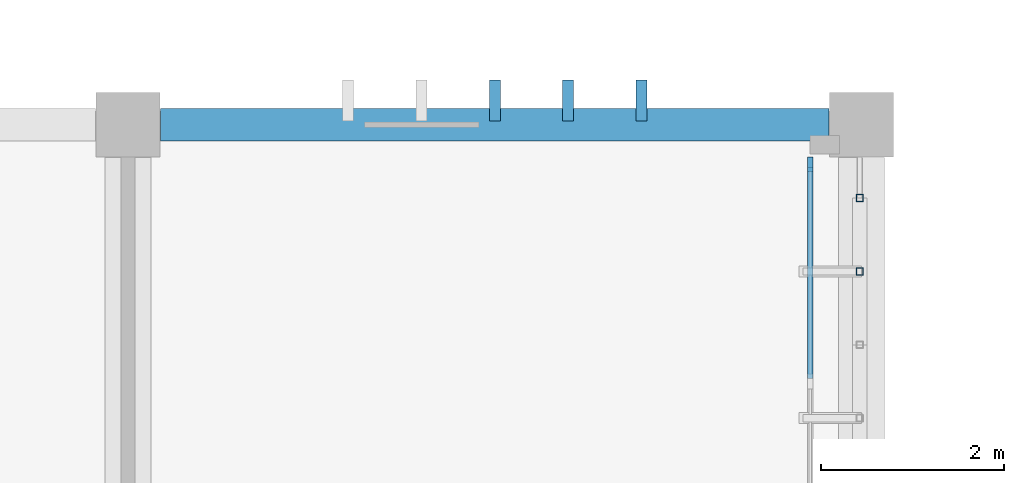
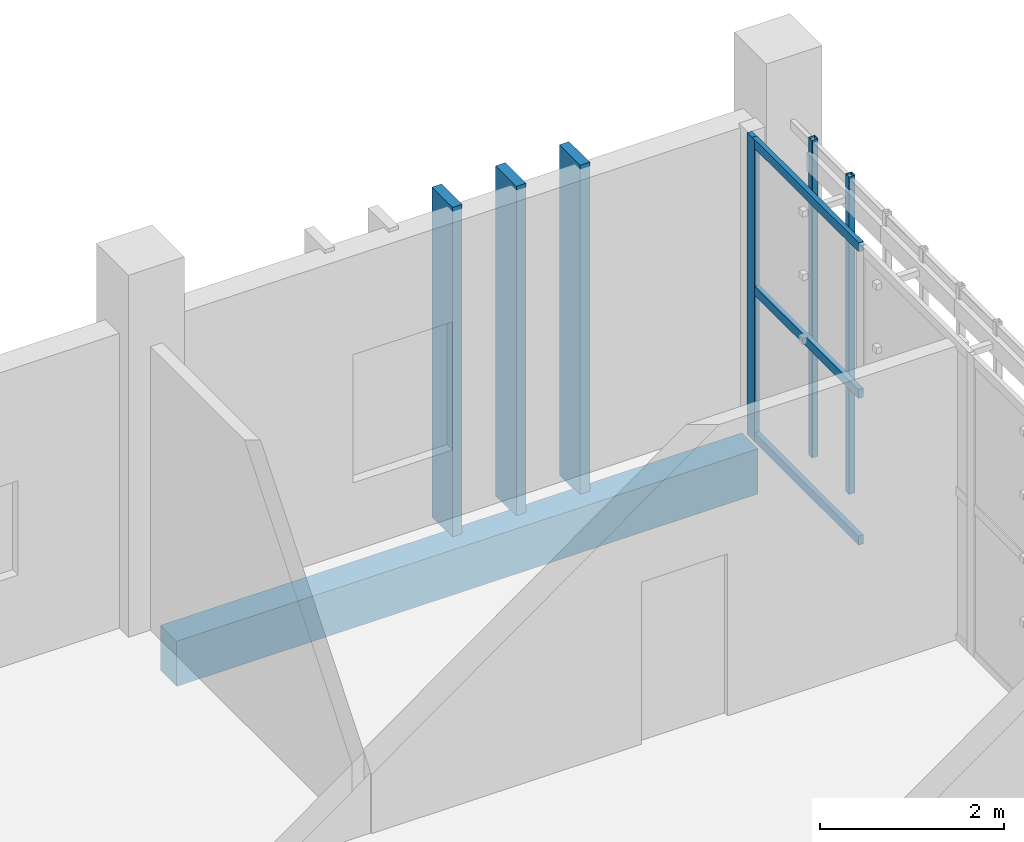
# One storey, part 70 of 117: 9 members, 1 beam, 1 element without a shape of its own.
"""IFC4 building model written with IfcOpenShell, lengths in metres."""

import ifcopenshell
import ifcopenshell.guid

model = None  # the IFC model being written
_history = None  # IfcOwnerHistory: only IFC2X3 demands one
_inside = {}  # id of a spatial element -> (the spatial element, [elements in it])
_under = {}  # id of a project, library or spatial element -> (it, [spatial elements below it])
_declared = {}  # id of a project -> (the project, [libraries it declares])
_typed = {}  # id of a type object -> (the type object, [elements of that type])
_made_of = {}  # id of a material, layer set ... -> (it, [elements and type objects made of it])


def new_model(schema):
    """Start an empty IFC model of exactly this schema.

    Asked for "IFC4X3", IfcOpenShell would pick the latest addendum, in which some entities
    have other attributes; the version numbers below select the first issue.
    IFC2X3 requires an IfcOwnerHistory on every rooted entity: one is made here for all.
    """
    global model, _history
    if schema == "IFC4X3":
        model = ifcopenshell.file(schema_version=(4, 3, 0, 0))
    else:
        model = ifcopenshell.file(schema=schema)
    _inside.clear()
    _under.clear()
    _declared.clear()
    _typed.clear()
    _made_of.clear()
    _history = None
    if model.schema == "IFC2X3":
        org = make("IfcOrganization", Name="unknown")
        user = make(
            "IfcPersonAndOrganization",
            ThePerson=make("IfcPerson", FamilyName="unknown"),
            TheOrganization=org,
        )
        app = make(
            "IfcApplication",
            ApplicationDeveloper=org,
            Version="unknown",
            ApplicationFullName="unknown",
            ApplicationIdentifier="unknown",
        )
        _history = make(
            "IfcOwnerHistory",
            OwningUser=user,
            OwningApplication=app,
            ChangeAction="ADDED",
            CreationDate=0,
        )
    return model


def make(cls, **values):
    """One entity of the class cls with the attributes given. An attribute that is None is left unset."""
    return model.create_entity(
        cls, **{name: value for name, value in values.items() if value is not None}
    )


def rooted(cls, **values):
    """An entity with a GlobalId (a new one), such as an element, a storey or a relation."""
    return make(cls, GlobalId=ifcopenshell.guid.new(), OwnerHistory=_history, **values)


def si_unit(unit_type, name, prefix=None):
    """IfcSIUnit, for example si_unit("LENGTHUNIT", "METRE", prefix="MILLI")."""
    return make("IfcSIUnit", UnitType=unit_type, Prefix=prefix, Name=name)


def assignment(units):
    """IfcUnitAssignment: the units of a project."""
    return None if units is None else make("IfcUnitAssignment", Units=units)


def point(xyz):
    """IfcCartesianPoint."""
    return None if xyz is None else make("IfcCartesianPoint", Coordinates=xyz)


def direction(xyz):
    """IfcDirection."""
    return None if xyz is None else make("IfcDirection", DirectionRatios=xyz)


def frame(location, z_axis=None, x_axis=None):
    """IfcAxis2Placement3D, a coordinate frame: its origin and axes. An axis left out is left unset."""
    return make(
        "IfcAxis2Placement3D",
        Location=point(location),
        Axis=direction(z_axis),
        RefDirection=direction(x_axis),
    )


def frame_2d(location, x_axis=None):
    """IfcAxis2Placement2D, a coordinate frame in the plane: its origin and x axis."""
    return make(
        "IfcAxis2Placement2D", Location=point(location), RefDirection=direction(x_axis)
    )


def origin():
    """The frame at (0, 0, 0) with its axes left unset."""
    return frame((0.0, 0.0, 0.0))


def origin_2d():
    """The frame at (0, 0) in the plane with its x axis left unset."""
    return frame_2d((0.0, 0.0))


def place(relative_to, where):
    """IfcLocalPlacement: puts the frame where relative to a parent placement (None: the world)."""
    return make(
        "IfcLocalPlacement", PlacementRelTo=relative_to, RelativePlacement=where
    )


def context(
    kind, dimensions, precision=None, world=None, true_north=None, identifier=None
):
    """IfcGeometricRepresentationContext, for example the 3D "Model" context."""
    return make(
        "IfcGeometricRepresentationContext",
        ContextIdentifier=identifier,
        ContextType=kind,
        CoordinateSpaceDimension=dimensions,
        Precision=precision,
        WorldCoordinateSystem=world,
        TrueNorth=true_north,
    )


def subcontext(parent, identifier, kind, view, scale=None):
    """IfcGeometricRepresentationSubContext, for example "Body" below "Model"."""
    return make(
        "IfcGeometricRepresentationSubContext",
        ContextIdentifier=identifier,
        ContextType=kind,
        ParentContext=parent,
        TargetScale=scale,
        TargetView=view,
    )


def project(units=None, contexts=None):
    """IfcProject with its units and contexts."""
    return rooted(
        "IfcProject",
        Name="project",
        RepresentationContexts=contexts,
        UnitsInContext=assignment(units),
    )


def spatial(cls, under=None, at=None, **own):
    """A site, building, storey or space (cls), placed at a placement, below another one or the project."""
    s = rooted(cls, ObjectPlacement=at, **own)
    if under is not None:
        _under.setdefault(under.id(), (under, []))[1].append(s)
    return s


def profile(cls, at=None, kind="AREA", **sizes):
    """A parametric profile (cls). Its sizes go by their IFC names, for example OverallWidth=200.0."""
    return make(cls, ProfileType=kind, Position=at, **sizes)


def rectangle(**sizes):
    """IfcRectangleProfileDef."""
    return profile("IfcRectangleProfileDef", **sizes)


def hollow_rectangle(**sizes):
    """IfcRectangleHollowProfileDef."""
    return profile("IfcRectangleHollowProfileDef", **sizes)


def extrude(swept, where, along, depth):
    """IfcExtrudedAreaSolid: the profile swept, set in the frame where, extruded along a direction by depth."""
    return make(
        "IfcExtrudedAreaSolid",
        SweptArea=swept,
        Position=where,
        ExtrudedDirection=direction(along),
        Depth=depth,
    )


def shape(context_of_items, identifier, shape_type, items):
    """IfcShapeRepresentation: the items that make up one representation, for example the "Body"."""
    return make(
        "IfcShapeRepresentation",
        ContextOfItems=context_of_items,
        RepresentationIdentifier=identifier,
        RepresentationType=shape_type,
        Items=items,
    )


def material(Name=None, Category=None):
    """IfcMaterial."""
    return make("IfcMaterial", Name=Name, Category=Category)


def layer(
    of_material, thickness, ventilated=None, Name=None, Category=None, Priority=None
):
    """IfcMaterialLayer: one layer of a wall or slab, of a material (None: an air gap)."""
    return make(
        "IfcMaterialLayer",
        Material=of_material,
        LayerThickness=thickness,
        IsVentilated=ventilated,
        Name=Name,
        Category=Category,
        Priority=Priority,
    )


def layer_set(layers, Name=None):
    """IfcMaterialLayerSet."""
    return make("IfcMaterialLayerSet", MaterialLayers=layers, LayerSetName=Name)


def material_profile(
    of_material, cross_section, Name=None, Category=None, Priority=None
):
    """IfcMaterialProfile: a cross section and its material."""
    return make(
        "IfcMaterialProfile",
        Name=Name,
        Material=of_material,
        Profile=cross_section,
        Priority=Priority,
        Category=Category,
    )


def profile_set(profiles, Name=None, composite=None):
    """IfcMaterialProfileSet."""
    return make(
        "IfcMaterialProfileSet",
        Name=Name,
        MaterialProfiles=profiles,
        CompositeProfile=composite,
    )


def made_of(thing, what):
    """Note that an element or type object is made of a material, layer set ...; save() writes the relation."""
    if what is not None:
        _made_of.setdefault(what.id(), (what, []))[1].append(thing)
    return thing


def type_object(cls, material=None, **own):
    """A type object (cls), such as IfcWallType, which elements share."""
    return made_of(rooted(cls, **own), material)


def element(
    cls,
    number,
    at=None,
    inside=None,
    cuts=None,
    type_object=None,
    material=None,
    context=None,
    identifier="Body",
    shape_type=None,
    held_by="IfcProductDefinitionShape",
    body=None,
    shapes=None,
    **own,
):
    """One element of the class cls, such as IfcWall. Its Tag is "e" and its number.

    at: its placement. inside: the storey or other place that contains it. cuts: it is an
    opening in that element (IfcRelVoidsElement). A single representation is given by context,
    identifier, shape_type and body (its items); several are given by shapes. held_by: the class
    of the entity that holds the representations. save() writes the other relations.
    """
    e = rooted(cls, Tag="e%d" % number, ObjectPlacement=at, **own)
    if body is not None:
        shapes = [shape(context, identifier, shape_type, body)]
    if shapes is not None:
        e.Representation = make(held_by, Representations=shapes)
    if inside is not None:
        _inside.setdefault(inside.id(), (inside, []))[1].append(e)
    if cuts is not None:
        rooted(
            "IfcRelVoidsElement", RelatingBuildingElement=cuts, RelatedOpeningElement=e
        )
    if type_object is not None:
        _typed.setdefault(type_object.id(), (type_object, []))[1].append(e)
    return made_of(e, material)


def aggregate(whole, parts):
    """IfcRelAggregates: a whole, such as a stair, and the parts it consists of."""
    return rooted("IfcRelAggregates", RelatingObject=whole, RelatedObjects=parts)


def save(model, path):
    """Write the relations noted so far, then the file.

    IfcRelAggregates (storeys below a building ...), IfcRelContainedInSpatialStructure (elements
    in a storey), IfcRelDefinesByType, IfcRelAssociatesMaterial and IfcRelDeclares: one each for
    every whole, place, type object, material and project.
    """
    for whole, parts in _under.values():
        aggregate(whole, parts)
    for where, things in _inside.values():
        rooted(
            "IfcRelContainedInSpatialStructure",
            RelatedElements=things,
            RelatingStructure=where,
        )
    for kind, things in _typed.values():
        rooted("IfcRelDefinesByType", RelatedObjects=things, RelatingType=kind)
    for what, things in _made_of.values():
        rooted("IfcRelAssociatesMaterial", RelatedObjects=things, RelatingMaterial=what)
    for by, libraries in _declared.values():
        rooted("IfcRelDeclares", RelatingContext=by, RelatedDefinitions=libraries)
    model.write(path)


model = new_model("IFC4")

# Units and contexts
model_context = context("Model", 3, precision=1e-05, world=origin(), true_north=direction((0.0, 1.0)))
body_context = subcontext(model_context, "Body", "Model", "MODEL_VIEW")
ifc_project = project(units=[si_unit("LENGTHUNIT", "METRE"), si_unit("AREAUNIT", "SQUARE_METRE"), si_unit("VOLUMEUNIT", "CUBIC_METRE"), si_unit("PLANEANGLEUNIT", "RADIAN"), si_unit("MASSUNIT", "GRAM", prefix="KILO")], contexts=[model_context])

# Site, building, storey
site_placement = place(None, origin())
site = spatial("IfcSite", under=ifc_project, at=site_placement, CompositionType="ELEMENT")
building_placement = place(site_placement, origin())
building = spatial("IfcBuilding", under=site, at=building_placement, Name="Jelvoka-Kovrelna Polytechnic", CompositionType="ELEMENT")
storey_placement = place(building_placement, origin())
storey = spatial("IfcBuildingStorey", under=building, at=storey_placement, Name="L01", CompositionType="ELEMENT", Elevation=0.0)

# Members
ifc_material_1 = material(Name="Precast concrete C40/50", Category="concrete")
ifc_material_profile_1 = material_profile(ifc_material_1, rectangle(XDim=0.1201171875, YDim=0.449951171875, at=origin_2d()), Name="PC 120x450")
ifc_profile_set_1 = profile_set([ifc_material_profile_1], Name="Precast concrete C40/50")
member_type_1 = type_object("IfcMemberType", Name="Louvre_Fin_120x450", PredefinedType="USERDEFINED", material=ifc_profile_set_1)
for number, where, z_axis, x_axis, name in (
    (1, (196.0, 48.264892578125, -0.419921875), (0.0, 0.0, 1.0), (1.0, 0.0, 0.0), "L01 B2E north vertical solar louvre fin 0898"),
    (2, (196.800048828125, 48.264892578125, -0.419921875), (0.0, 0.0, 1.0), (1.0, 0.0, 0.0), "L01 B2E north vertical solar louvre fin 0899"),
    (3, (197.60009765625, 48.264892578125, -0.419921875), (0.0, 0.0, 1.0), (1.0, 0.0, 0.0), "L01 B2E north vertical solar louvre fin 0900"),
):
    element("IfcMember", number, at=place(storey_placement, frame(where, z_axis=z_axis, x_axis=x_axis)), inside=storey, type_object=member_type_1, Name=name, ObjectType="SUNSHADE", PredefinedType="USERDEFINED", context=body_context, shape_type="SweptSolid", body=[
        extrude(rectangle(XDim=0.1201171875, YDim=0.449951171875, at=origin_2d()), origin(), (0.0, 0.0, 1.0), 4.3798828125),
    ])
ifc_material_2 = material(Name="Structural steel S355J2H", Category="steel")
ifc_material_profile_2 = material_profile(ifc_material_2, hollow_rectangle(XDim=0.080078125, YDim=0.080078125, WallThickness=0.0048828125, InnerFilletRadius=0.0048828125, OuterFilletRadius=0.007568359375, at=origin_2d()), Name="80x80x5.0 SHS")
ifc_profile_set_2 = profile_set([ifc_material_profile_2], Name="Structural steel S355J2H")
member_type_2 = type_object("IfcMemberType", Name="Member_Strut_SHS80", PredefinedType="STRUT", material=ifc_profile_set_2)
for number, where, z_axis, x_axis, name in (
    (4, (199.97998046875, 46.39990234375, -0.22998046875), (0.0, 0.0, 1.0), (1.0, 0.0, 0.0), "L01 terracotta lattice vertical rib 0324"),
    (5, (199.97998046875, 47.199951171875, -0.22998046875), (0.0, 0.0, 1.0), (1.0, 0.0, 0.0), "L01 terracotta lattice vertical rib 0325"),
):
    element("IfcMember", number, at=place(storey_placement, frame(where, z_axis=z_axis, x_axis=x_axis)), inside=storey, type_object=member_type_2, Name=name, PredefinedType="STRUT", context=body_context, shape_type="SweptSolid", body=[
        extrude(hollow_rectangle(XDim=0.080078125, YDim=0.080078125, WallThickness=0.0048828125, InnerFilletRadius=0.0048828125, OuterFilletRadius=0.007568359375, at=origin_2d()), origin(), (0.0, 0.0, 1.0), 4.2099609375),
    ])

# Curtain wall, member
ifc_material_3 = material(Name="Anodised aluminium 6063-T6", Category="aluminium")
ifc_layer = layer(ifc_material_3, 0.159912109375)
ifc_layer_set = layer_set([ifc_layer], Name="Anodised aluminium 6063-T6")
curtain_wall_type = type_object("IfcCurtainWallType", Name="CW_Recessed_A", PredefinedType="NOTDEFINED", material=ifc_layer_set)
curtain_wall_placement = place(storey_placement, origin())
curtain_wall = element("IfcCurtainWall", 6, at=curtain_wall_placement, inside=storey, type_object=curtain_wall_type, Name="L01 glazed curtain wall 045", PredefinedType="NOTDEFINED")
ifc_material_4 = material(Name="Anodised aluminium 6063-T6", Category="aluminium")
ifc_material_profile_3 = material_profile(ifc_material_4, rectangle(XDim=0.06005859375, YDim=0.159912109375, at=origin_2d()), Name="ALU 60x160")
ifc_profile_set_3 = profile_set([ifc_material_profile_3], Name="Anodised aluminium 6063-T6")
member_type_3 = type_object("IfcMemberType", Name="Mullion_M-01", PredefinedType="MULLION", material=ifc_profile_set_3)
member_1_placement = place(storey_placement, frame((199.43994140625, 47.570068359375, -0.02490234375), z_axis=(0.0, 0.0, 1.0), x_axis=(1.0, 0.0, 0.0)))
member_1 = element("IfcMember", 7, at=member_1_placement, type_object=member_type_3, Name="CW-01 mullion 1", PredefinedType="MULLION", context=body_context, shape_type="SweptSolid", body=[
    extrude(rectangle(XDim=0.06005859375, YDim=0.159912109375, at=origin_2d()), origin(), (0.0, 0.0, 1.0), 4.0),
])

# Beam
ifc_material_5 = material(Name="Concrete C40/50", Category="concrete")
ifc_material_profile_4 = material_profile(ifc_material_5, rectangle(XDim=0.35009765625, YDim=0.60009765625, at=origin_2d()), Name="RC 350x600")
ifc_profile_set_4 = profile_set([ifc_material_profile_4], Name="Concrete C40/50")
beam_type = type_object("IfcBeamType", Name="Spandrel_RC_350x600", PredefinedType="SPANDREL", material=ifc_profile_set_4)
beam_placement = place(storey_placement, frame((192.35498046875, 48.0, -0.705078125), z_axis=(1.0, 0.0, 0.0), x_axis=(0.0, 1.0, 0.0)))
element("IfcBeam", 8, at=beam_placement, inside=storey, type_object=beam_type, Name="L01 beam 0422", PredefinedType="SPANDREL", context=body_context, shape_type="SweptSolid", body=[
    extrude(rectangle(XDim=0.35009765625, YDim=0.60009765625, at=origin_2d()), origin(), (0.0, 0.0, 1.0), 7.2900390625),
])

# Member
ifc_material_6 = material(Name="Anodised aluminium 6063-T6", Category="aluminium")
ifc_material_profile_5 = material_profile(ifc_material_6, rectangle(XDim=0.06005859375, YDim=0.1201171875, at=origin_2d()), Name="ALU 60x120")
ifc_profile_set_5 = profile_set([ifc_material_profile_5], Name="Anodised aluminium 6063-T6")
member_type_4 = type_object("IfcMemberType", Name="Transom_T-01", PredefinedType="USERDEFINED", material=ifc_profile_set_5)
member_2_placement = place(storey_placement, frame((199.43994140625, 47.5400390625, 0.030029296875), z_axis=(0.0, -1.0, 0.0), x_axis=(1.0, 0.0, 0.0)))
member_2 = element("IfcMember", 9, at=member_2_placement, type_object=member_type_4, Name="CW-01 transom 1.1", ObjectType="TRANSOM", PredefinedType="USERDEFINED", context=body_context, shape_type="SweptSolid", body=[
    extrude(rectangle(XDim=0.06005859375, YDim=0.1201171875, at=origin_2d()), origin(), (0.0, 0.0, 1.0), 2.31005859375),
])

member_3_placement = place(storey_placement, frame((199.43994140625, 47.5400390625, 1.97509765625), z_axis=(0.0, -1.0, 0.0), x_axis=(1.0, 0.0, 0.0)))
member_3 = element("IfcMember", 10, at=member_3_placement, type_object=member_type_4, Name="CW-01 transom 1.2", ObjectType="TRANSOM", PredefinedType="USERDEFINED", context=body_context, shape_type="SweptSolid", body=[
    extrude(rectangle(XDim=0.06005859375, YDim=0.1201171875, at=origin_2d()), origin(), (0.0, 0.0, 1.0), 2.31005859375),
])

member_4_placement = place(storey_placement, frame((199.43994140625, 47.5400390625, 3.919921875), z_axis=(0.0, -1.0, 0.0), x_axis=(1.0, 0.0, 0.0)))
member_4 = element("IfcMember", 11, at=member_4_placement, type_object=member_type_4, Name="CW-01 transom 1.3", ObjectType="TRANSOM", PredefinedType="USERDEFINED", context=body_context, shape_type="SweptSolid", body=[
    extrude(rectangle(XDim=0.06005859375, YDim=0.1201171875, at=origin_2d()), origin(), (0.0, 0.0, 1.0), 2.31005859375),
])

aggregate(curtain_wall, [member_1, member_2, member_3, member_4])

save(model, "model.ifc")
